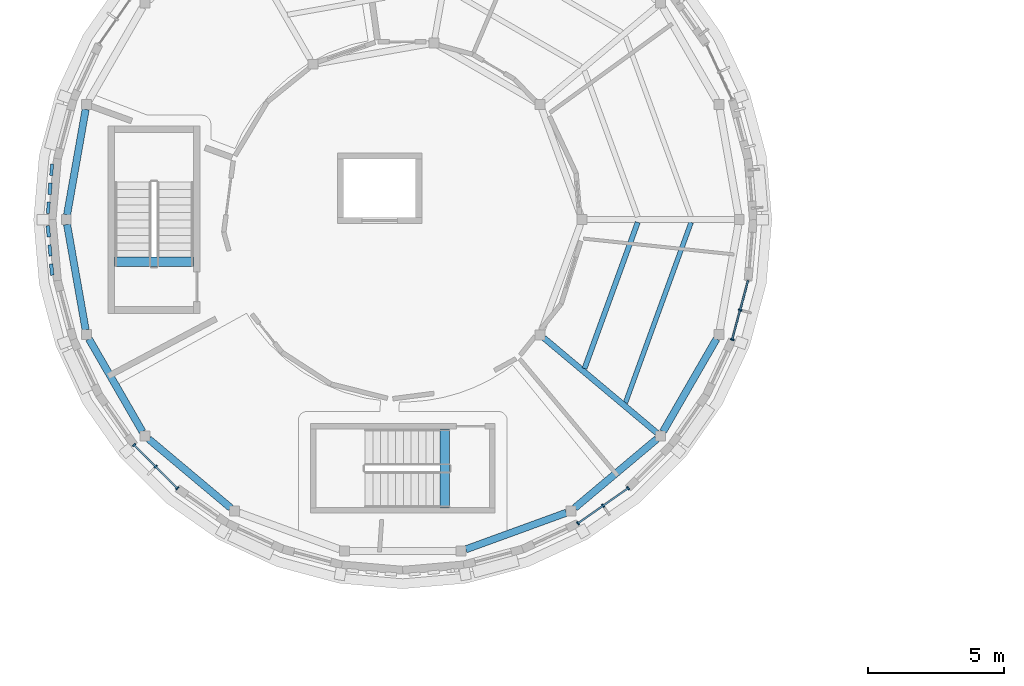
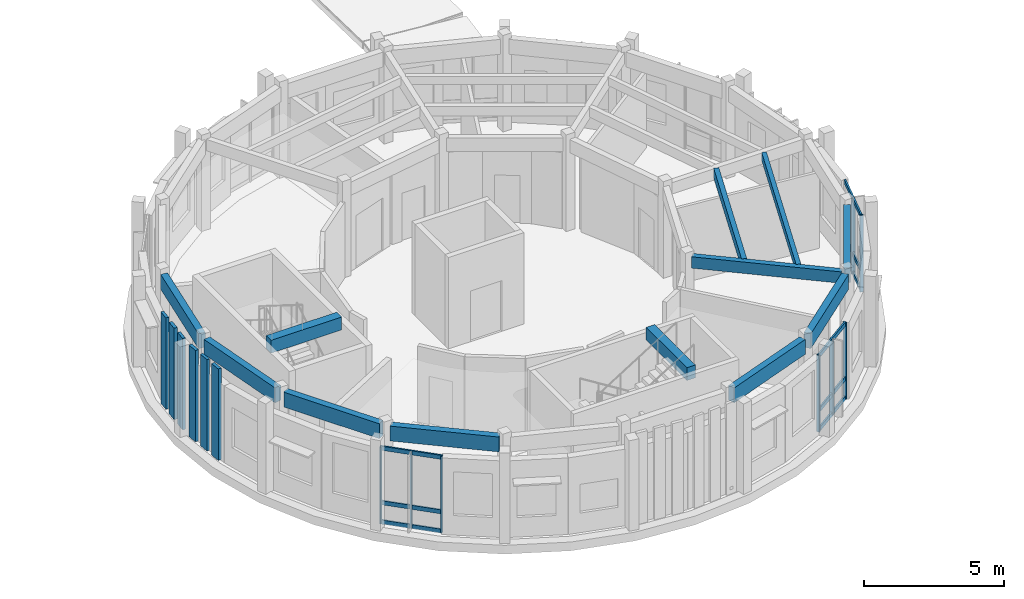
# One storey, part 7 of 58: 23 members, 12 beams, 3 elements without a shape of their own.
"""IFC4 building model written with IfcOpenShell, lengths in metres."""

from ifc_helpers import new_model, si_unit, direction, frame, origin, origin_2d, place, context, subcontext, project, spatial, rectangle, extrude, material, layer, layer_set, material_profile, profile_set, type_object, element, aggregate, save


model = new_model("IFC4")

# Units and contexts
model_context = context("Model", 3, precision=1e-05, world=origin(), true_north=direction((0.0, 1.0)))
body_context = subcontext(model_context, "Body", "Model", "MODEL_VIEW")
ifc_project = project(units=[si_unit("LENGTHUNIT", "METRE"), si_unit("AREAUNIT", "SQUARE_METRE"), si_unit("VOLUMEUNIT", "CUBIC_METRE"), si_unit("PLANEANGLEUNIT", "RADIAN"), si_unit("MASSUNIT", "GRAM", prefix="KILO")], contexts=[model_context])

# Site, building, storey
site_placement = place(None, origin())
site = spatial("IfcSite", under=ifc_project, at=site_placement, CompositionType="ELEMENT")
building_placement = place(site_placement, origin())
building = spatial("IfcBuilding", under=site, at=building_placement, Name="Aldenvaro Health Centre", CompositionType="ELEMENT")
storey_placement = place(building_placement, frame((0.0, 0.0, 8.75)))
storey = spatial("IfcBuildingStorey", under=building, at=storey_placement, Name="L02", CompositionType="ELEMENT", Elevation=8.75)

# Beams
ifc_material_1 = material(Name="Glulam GL28h", Category="wood")
ifc_material_profile_1 = material_profile(ifc_material_1, rectangle(XDim=0.175048828125, YDim=0.35009765625, at=origin_2d()), Name="GL 175x350", Category="wood")
ifc_profile_set_1 = profile_set([ifc_material_profile_1], Name="Glulam GL28h")
beam_type_1 = type_object("IfcBeamType", Name="BM-GL-350", PredefinedType="JOIST", material=ifc_profile_set_1)
beam_1_placement = place(storey_placement, frame((26.69189453125, 11.758056640625, 3.800048828125), z_axis=(0.342009334008, 0.939696554985, 0.0), x_axis=(-0.939696554985, 0.342009334008, 0.0)))
element("IfcBeam", 1, at=beam_1_placement, inside=storey, type_object=beam_type_1, Name="D5 L02 secondary joist 05.2", PredefinedType="JOIST", context=body_context, shape_type="SweptSolid", body=[
    extrude(rectangle(XDim=0.175048828125, YDim=0.35009765625, at=origin_2d()), origin(), (0.0, 0.0, 1.0), 7.067138671875),
])
ifc_material_profile_2 = material_profile(ifc_material_1, rectangle(XDim=0.18994140625, YDim=0.41796875, at=origin_2d()), Name="GL 190x418", Category="wood")
ifc_profile_set_2 = profile_set([ifc_material_profile_2], Name="Glulam GL28h")
beam_type_2 = type_object("IfcBeamType", Name="BM-GL-418", PredefinedType="JOIST", material=ifc_profile_set_2)
beam_2_placement = place(storey_placement, frame((25.18701171875, 13.02099609375, 3.76611328125), z_axis=(0.341962269954, 0.939713682952, 0.0), x_axis=(-0.939713682952, 0.341962269954, 0.0)))
element("IfcBeam", 2, at=beam_2_placement, inside=storey, type_object=beam_type_2, Name="D5 L02 secondary joist 05.1", PredefinedType="JOIST", context=body_context, shape_type="SweptSolid", body=[
    extrude(rectangle(XDim=0.18994140625, YDim=0.41796875, at=origin_2d()), origin(), (0.0, 0.0, 1.0), 5.722900390625),
])
ifc_material_profile_3 = material_profile(ifc_material_1, rectangle(XDim=0.215087890625, YDim=0.493896484375, at=origin_2d()), Name="GL 215x494", Category="wood")
ifc_profile_set_3 = profile_set([ifc_material_profile_3], Name="Glulam GL28h")
beam_type_3 = type_object("IfcBeamType", Name="BM-GL-494", PredefinedType="BEAM", material=ifc_profile_set_3)
beam_3_placement = place(storey_placement, frame((23.696044921875, 14.14111328125, 3.72802734375), z_axis=(0.765895762224, -0.64296475907, 0.0), x_axis=(0.64296475907, 0.765895762224, 0.0)))
element("IfcBeam", 3, at=beam_3_placement, inside=storey, type_object=beam_type_3, Name="D5 L02 radial beam 05", PredefinedType="BEAM", context=body_context, shape_type="SweptSolid", body=[
    extrude(rectangle(XDim=0.215087890625, YDim=0.493896484375, at=origin_2d()), origin(), (0.0, 0.0, 1.0), 5.415771484375),
])
ifc_material_profile_4 = material_profile(ifc_material_1, rectangle(XDim=0.264892578125, YDim=0.64599609375, at=origin_2d()), Name="GL 265x646", Category="wood")
ifc_profile_set_4 = profile_set([ifc_material_profile_4], Name="Glulam GL28h")
beam_type_4 = type_object("IfcBeamType", Name="BM-GL-646", PredefinedType="SPANDREL", material=ifc_profile_set_4)
for number, where, z_axis, x_axis, name in (
    (4, (6.8349609375, 22.553955078125, 3.652099609375), (-0.173590602204, -0.984817903384, 0.0), (0.984817903384, -0.173590602204, 0.0), "D5 L02 perimeter spandrel 09"),
    (5, (6.152099609375, 18.320068359375, 3.652099609375), (0.173590602204, -0.984817903384, 0.0), (0.984817903384, 0.173590602204, 0.0), "D5 L02 perimeter spandrel 10"),
):
    element("IfcBeam", number, at=place(storey_placement, frame(where, z_axis=z_axis, x_axis=x_axis)), inside=storey, type_object=beam_type_4, Name=name, PredefinedType="SPANDREL", context=body_context, shape_type="SweptSolid", body=[
        extrude(rectangle(XDim=0.264892578125, YDim=0.64599609375, at=origin_2d()), origin(), (0.0, 0.0, 1.0), 3.933837890625),
    ])
beam_4_placement = place(storey_placement, frame((6.9580078125, 14.10791015625, 3.652099609375), z_axis=(0.499896114199, -0.866085373973, 0.0), x_axis=(0.866085373973, 0.499896114199, 0.0)))
element("IfcBeam", 6, at=beam_4_placement, inside=storey, type_object=beam_type_4, Name="D5 L02 perimeter spandrel 11", PredefinedType="SPANDREL", context=body_context, shape_type="SweptSolid", body=[
    extrude(rectangle(XDim=0.264892578125, YDim=0.64599609375, at=origin_2d()), origin(), (0.0, 0.0, 1.0), 3.934814453125),
])
beam_5_placement = place(storey_placement, frame((9.156005859375, 10.425048828125, 3.652099609375), z_axis=(0.766034816661, -0.642799081878, 0.0), x_axis=(0.642799081878, 0.766034816661, 0.0)))
element("IfcBeam", 7, at=beam_5_placement, inside=storey, type_object=beam_type_4, Name="D5 L02 perimeter spandrel 12", PredefinedType="SPANDREL", context=body_context, shape_type="SweptSolid", body=[
    extrude(rectangle(XDim=0.264892578125, YDim=0.64599609375, at=origin_2d()), origin(), (0.0, 0.0, 1.0), 3.934326171875),
])
beam_6_placement = place(storey_placement, frame((20.821044921875, 6.3701171875, 3.652099609375), z_axis=(0.939613987037, 0.342236110549, 0.0), x_axis=(-0.342236110549, 0.939613987037, 0.0)))
element("IfcBeam", 8, at=beam_6_placement, inside=storey, type_object=beam_type_4, Name="D5 L02 perimeter spandrel 15", PredefinedType="SPANDREL", context=body_context, shape_type="SweptSolid", body=[
    extrude(rectangle(XDim=0.264892578125, YDim=0.64599609375, at=origin_2d()), origin(), (0.0, 0.0, 1.0), 3.935546875),
])
beam_7_placement = place(storey_placement, frame((24.830078125, 7.89599609375, 3.652099609375), z_axis=(0.766034816661, 0.642799081878, 0.0), x_axis=(-0.642799081878, 0.766034816661, 0.0)))
element("IfcBeam", 9, at=beam_7_placement, inside=storey, type_object=beam_type_4, Name="D5 L02 perimeter spandrel 16", PredefinedType="SPANDREL", context=body_context, shape_type="SweptSolid", body=[
    extrude(rectangle(XDim=0.264892578125, YDim=0.64599609375, at=origin_2d()), origin(), (0.0, 0.0, 1.0), 3.934326171875),
])
beam_8_placement = place(storey_placement, frame((28.074951171875, 10.699951171875, 3.652099609375), z_axis=(0.499896114199, 0.866085373973, 0.0), x_axis=(-0.866085373973, 0.499896114199, 0.0)))
element("IfcBeam", 10, at=beam_8_placement, inside=storey, type_object=beam_type_4, Name="D5 L02 perimeter spandrel 17", PredefinedType="SPANDREL", context=body_context, shape_type="SweptSolid", body=[
    extrude(rectangle(XDim=0.264892578125, YDim=0.64599609375, at=origin_2d()), origin(), (0.0, 0.0, 1.0), 3.934814453125),
])
ifc_material_2 = material(Name="Concrete f'c 40 MPa", Category="concrete")
ifc_material_profile_5 = material_profile(ifc_material_2, rectangle(XDim=0.35009765625, YDim=0.56005859375, at=origin_2d()), Name="RC 350x560", Category="concrete")
ifc_profile_set_5 = profile_set([ifc_material_profile_5], Name="Concrete f'c 40 MPa")
beam_type_5 = type_object("IfcBeamType", Name="BM-RC-560", PredefinedType="JOIST", material=ifc_profile_set_5)
for number, where, z_axis, x_axis, name in (
    (11, (10.800048828125, 16.949951171875, 3.919921875), (-1.0, 0.0, 0.0), (0.0, -1.0, 0.0), "ST-09 L03 stair landing trimmer beam"),
    (12, (20.050048828125, 10.800048828125, 3.919921875), (0.0, -1.0, 0.0), (1.0, 0.0, 0.0), "ST-10 L03 stair landing trimmer beam"),
):
    element("IfcBeam", number, at=place(storey_placement, frame(where, z_axis=z_axis, x_axis=x_axis)), inside=storey, type_object=beam_type_5, Name=name, PredefinedType="JOIST", context=body_context, shape_type="SweptSolid", body=[
        extrude(rectangle(XDim=0.35009765625, YDim=0.56005859375, at=origin_2d()), origin(), (0.0, 0.0, 1.0), 2.900146484375),
    ])

# Curtain wall, members
ifc_material_3 = material(Name="Anodised Aluminium 6063-T6", Category="aluminium")
ifc_layer = layer(ifc_material_3, 0.195068359375, Name="Anodised Aluminium 6063-T6", Category="aluminium")
ifc_layer_set = layer_set([ifc_layer], Name="Anodised Aluminium 6063-T6")
curtain_wall_type = type_object("IfcCurtainWallType", Name="CW-CLN-02", PredefinedType="NOTDEFINED", material=ifc_layer_set)
curtain_wall_1_placement = place(storey_placement, origin())
curtain_wall_1 = element("IfcCurtainWall", 13, at=curtain_wall_1_placement, inside=storey, type_object=curtain_wall_type, Name="D5 L02 curtain wall bay 02", PredefinedType="NOTDEFINED")
ifc_material_profile_6 = material_profile(ifc_material_3, rectangle(XDim=0.06005859375, YDim=0.135009765625, at=origin_2d()), Name="ALU 60x135", Category="aluminium")
ifc_profile_set_6 = profile_set([ifc_material_profile_6], Name="Anodised Aluminium 6063-T6")
member_type_1 = type_object("IfcMemberType", Name="CWM-150", PredefinedType="MULLION", material=ifc_profile_set_6)
member_1_placement = place(storey_placement, frame((30.9130859375, 15.174072265625, 0.0), z_axis=(0.0, 0.0, 1.0), x_axis=(-0.258825000966, -0.9659242304, 0.0)))
member_1 = element("IfcMember", 14, at=member_1_placement, type_object=member_type_1, Name="D5 L02 curtain wall bay 02 mullion 2", PredefinedType="MULLION", context=body_context, shape_type="SweptSolid", body=[
    extrude(rectangle(XDim=0.06005859375, YDim=0.135009765625, at=origin_2d()), origin(), (0.0, 0.0, 1.0), 3.3291015625),
])
member_2_placement = place(storey_placement, frame((30.6220703125, 14.087890625, 0.0), z_axis=(0.0, 0.0, 1.0), x_axis=(-0.258825000966, -0.9659242304, 0.0)))
member_2 = element("IfcMember", 15, at=member_2_placement, type_object=member_type_1, Name="D5 L02 curtain wall bay 02 mullion 3", PredefinedType="MULLION", context=body_context, shape_type="SweptSolid", body=[
    extrude(rectangle(XDim=0.06005859375, YDim=0.135009765625, at=origin_2d()), origin(), (0.0, 0.0, 1.0), 3.3291015625),
])

curtain_wall_2_placement = place(storey_placement, origin())
curtain_wall_2 = element("IfcCurtainWall", 16, at=curtain_wall_2_placement, inside=storey, type_object=curtain_wall_type, Name="D5 L02 curtain wall bay 06", PredefinedType="NOTDEFINED")
member_3_placement = place(storey_placement, frame((26.7919921875, 8.617919921875, 0.0), z_axis=(0.0, 0.0, 1.0), x_axis=(-0.819106553991, -0.573641397746, 0.0)))
member_3 = element("IfcMember", 17, at=member_3_placement, type_object=member_type_1, Name="D5 L02 curtain wall bay 06 mullion 1", PredefinedType="MULLION", context=body_context, shape_type="SweptSolid", body=[
    extrude(rectangle(XDim=0.06005859375, YDim=0.135009765625, at=origin_2d()), origin(), (0.0, 0.0, 1.0), 3.3291015625),
])
member_4_placement = place(storey_placement, frame((25.87109375, 7.972900390625, 0.0), z_axis=(0.0, 0.0, 1.0), x_axis=(-0.819106553991, -0.573641397746, 0.0)))
member_4 = element("IfcMember", 18, at=member_4_placement, type_object=member_type_1, Name="D5 L02 curtain wall bay 06 mullion 2", PredefinedType="MULLION", context=body_context, shape_type="SweptSolid", body=[
    extrude(rectangle(XDim=0.06005859375, YDim=0.135009765625, at=origin_2d()), origin(), (0.0, 0.0, 1.0), 3.3291015625),
])
member_5_placement = place(storey_placement, frame((24.949951171875, 7.327880859375, 0.0), z_axis=(0.0, 0.0, 1.0), x_axis=(-0.819106553991, -0.573641397746, 0.0)))
member_5 = element("IfcMember", 19, at=member_5_placement, type_object=member_type_1, Name="D5 L02 curtain wall bay 06 mullion 3", PredefinedType="MULLION", context=body_context, shape_type="SweptSolid", body=[
    extrude(rectangle(XDim=0.06005859375, YDim=0.135009765625, at=origin_2d()), origin(), (0.0, 0.0, 1.0), 3.3291015625),
])

curtain_wall_3_placement = place(storey_placement, origin())
curtain_wall_3 = element("IfcCurtainWall", 20, at=curtain_wall_3_placement, inside=storey, type_object=curtain_wall_type, Name="D5 L02 curtain wall bay 14", PredefinedType="NOTDEFINED")
member_6_placement = place(storey_placement, frame((10.2080078125, 8.617919921875, 0.0), z_axis=(0.0, 0.0, 1.0), x_axis=(-0.707106781187, 0.707106781187, 0.0)))
member_6 = element("IfcMember", 21, at=member_6_placement, type_object=member_type_1, Name="D5 L02 curtain wall bay 14 mullion 1", PredefinedType="MULLION", context=body_context, shape_type="SweptSolid", body=[
    extrude(rectangle(XDim=0.06005859375, YDim=0.135009765625, at=origin_2d()), origin(), (0.0, 0.0, 1.0), 3.3291015625),
])
member_7_placement = place(storey_placement, frame((9.4130859375, 9.4130859375, 0.0), z_axis=(0.0, 0.0, 1.0), x_axis=(-0.707106781187, 0.707106781187, 0.0)))
member_7 = element("IfcMember", 22, at=member_7_placement, type_object=member_type_1, Name="D5 L02 curtain wall bay 14 mullion 2", PredefinedType="MULLION", context=body_context, shape_type="SweptSolid", body=[
    extrude(rectangle(XDim=0.06005859375, YDim=0.135009765625, at=origin_2d()), origin(), (0.0, 0.0, 1.0), 3.3291015625),
])
member_8_placement = place(storey_placement, frame((8.617919921875, 10.2080078125, 0.0), z_axis=(0.0, 0.0, 1.0), x_axis=(-0.707106781187, 0.707106781187, 0.0)))
member_8 = element("IfcMember", 23, at=member_8_placement, type_object=member_type_1, Name="D5 L02 curtain wall bay 14 mullion 3", PredefinedType="MULLION", context=body_context, shape_type="SweptSolid", body=[
    extrude(rectangle(XDim=0.06005859375, YDim=0.135009765625, at=origin_2d()), origin(), (0.0, 0.0, 1.0), 3.3291015625),
])

# Member
ifc_material_profile_7 = material_profile(ifc_material_3, rectangle(XDim=0.06494140625, YDim=0.179931640625, at=origin_2d()), Name="ALU 65x180", Category="aluminium")
ifc_profile_set_7 = profile_set([ifc_material_profile_7], Name="Anodised Aluminium 6063-T6")
member_type_2 = type_object("IfcMemberType", Name="CWT-150", PredefinedType="USERDEFINED", material=ifc_profile_set_7)
member_9_placement = place(storey_placement, frame((31.2041015625, 16.260009765625, 0.06005859375), z_axis=(-0.258824721145, -0.96592430538, 0.0), x_axis=(0.96592430538, -0.258824721145, 0.0)))
member_9 = element("IfcMember", 24, at=member_9_placement, type_object=member_type_2, Name="D5 L02 curtain wall bay 02 transom 1", ObjectType="TRANSOM", PredefinedType="USERDEFINED", context=body_context, shape_type="SweptSolid", body=[
    extrude(rectangle(XDim=0.06494140625, YDim=0.179931640625, at=origin_2d()), origin(), (0.0, 0.0, 1.0), 2.248779296875),
])

member_10_placement = place(storey_placement, frame((31.2041015625, 16.260009765625, 0.89990234375), z_axis=(-0.258824721145, -0.96592430538, 0.0), x_axis=(0.96592430538, -0.258824721145, 0.0)))
member_10 = element("IfcMember", 25, at=member_10_placement, type_object=member_type_2, Name="D5 L02 curtain wall bay 02 transom 2", ObjectType="TRANSOM", PredefinedType="USERDEFINED", context=body_context, shape_type="SweptSolid", body=[
    extrude(rectangle(XDim=0.06494140625, YDim=0.179931640625, at=origin_2d()), origin(), (0.0, 0.0, 1.0), 2.248779296875),
])

member_11_placement = place(storey_placement, frame((31.2041015625, 16.260009765625, 3.26904296875), z_axis=(-0.258824721145, -0.96592430538, 0.0), x_axis=(0.96592430538, -0.258824721145, 0.0)))
member_11 = element("IfcMember", 26, at=member_11_placement, type_object=member_type_2, Name="D5 L02 curtain wall bay 02 transom 3", ObjectType="TRANSOM", PredefinedType="USERDEFINED", context=body_context, shape_type="SweptSolid", body=[
    extrude(rectangle(XDim=0.06494140625, YDim=0.179931640625, at=origin_2d()), origin(), (0.0, 0.0, 1.0), 2.248779296875),
])

aggregate(curtain_wall_1, [member_1, member_2, member_9, member_10, member_11])

member_12_placement = place(storey_placement, frame((26.7919921875, 8.617919921875, 0.06005859375), z_axis=(-0.819104393925, -0.573644482107, 0.0), x_axis=(0.573644482107, -0.819104393925, 0.0)))
member_12 = element("IfcMember", 27, at=member_12_placement, type_object=member_type_2, Name="D5 L02 curtain wall bay 06 transom 1", ObjectType="TRANSOM", PredefinedType="USERDEFINED", context=body_context, shape_type="SweptSolid", body=[
    extrude(rectangle(XDim=0.06494140625, YDim=0.179931640625, at=origin_2d()), origin(), (0.0, 0.0, 1.0), 2.248779296875),
])

member_13_placement = place(storey_placement, frame((26.7919921875, 8.617919921875, 0.89990234375), z_axis=(-0.819104393925, -0.573644482107, 0.0), x_axis=(0.573644482107, -0.819104393925, 0.0)))
member_13 = element("IfcMember", 28, at=member_13_placement, type_object=member_type_2, Name="D5 L02 curtain wall bay 06 transom 2", ObjectType="TRANSOM", PredefinedType="USERDEFINED", context=body_context, shape_type="SweptSolid", body=[
    extrude(rectangle(XDim=0.06494140625, YDim=0.179931640625, at=origin_2d()), origin(), (0.0, 0.0, 1.0), 2.248779296875),
])

member_14_placement = place(storey_placement, frame((26.7919921875, 8.617919921875, 3.26904296875), z_axis=(-0.819104393925, -0.573644482107, 0.0), x_axis=(0.573644482107, -0.819104393925, 0.0)))
member_14 = element("IfcMember", 29, at=member_14_placement, type_object=member_type_2, Name="D5 L02 curtain wall bay 06 transom 3", ObjectType="TRANSOM", PredefinedType="USERDEFINED", context=body_context, shape_type="SweptSolid", body=[
    extrude(rectangle(XDim=0.06494140625, YDim=0.179931640625, at=origin_2d()), origin(), (0.0, 0.0, 1.0), 2.248779296875),
])

aggregate(curtain_wall_2, [member_3, member_4, member_5, member_12, member_13, member_14])

member_15_placement = place(storey_placement, frame((10.2080078125, 8.617919921875, 0.06005859375), z_axis=(-0.707106781187, 0.707106781187, 0.0), x_axis=(-0.707106781187, -0.707106781187, 0.0)))
member_15 = element("IfcMember", 30, at=member_15_placement, type_object=member_type_2, Name="D5 L02 curtain wall bay 14 transom 1", ObjectType="TRANSOM", PredefinedType="USERDEFINED", context=body_context, shape_type="SweptSolid", body=[
    extrude(rectangle(XDim=0.06494140625, YDim=0.179931640625, at=origin_2d()), origin(), (0.0, 0.0, 1.0), 2.248779296875),
])

member_16_placement = place(storey_placement, frame((10.2080078125, 8.617919921875, 0.89990234375), z_axis=(-0.707106781187, 0.707106781187, 0.0), x_axis=(-0.707106781187, -0.707106781187, 0.0)))
member_16 = element("IfcMember", 31, at=member_16_placement, type_object=member_type_2, Name="D5 L02 curtain wall bay 14 transom 2", ObjectType="TRANSOM", PredefinedType="USERDEFINED", context=body_context, shape_type="SweptSolid", body=[
    extrude(rectangle(XDim=0.06494140625, YDim=0.179931640625, at=origin_2d()), origin(), (0.0, 0.0, 1.0), 2.248779296875),
])

member_17_placement = place(storey_placement, frame((10.2080078125, 8.617919921875, 3.26904296875), z_axis=(-0.707106781187, 0.707106781187, 0.0), x_axis=(-0.707106781187, -0.707106781187, 0.0)))
member_17 = element("IfcMember", 32, at=member_17_placement, type_object=member_type_2, Name="D5 L02 curtain wall bay 14 transom 3", ObjectType="TRANSOM", PredefinedType="USERDEFINED", context=body_context, shape_type="SweptSolid", body=[
    extrude(rectangle(XDim=0.06494140625, YDim=0.179931640625, at=origin_2d()), origin(), (0.0, 0.0, 1.0), 2.248779296875),
])

aggregate(curtain_wall_3, [member_6, member_7, member_8, member_15, member_16, member_17])

# Members
ifc_material_profile_8 = material_profile(ifc_material_1, rectangle(XDim=0.114990234375, YDim=0.419921875, at=origin_2d()), Name="GL 115x420", Category="wood")
ifc_profile_set_8 = profile_set([ifc_material_profile_8], Name="Glulam GL28h")
member_type_3 = type_object("IfcMemberType", Name="MEM-SLT-420A", PredefinedType="POST", material=ifc_profile_set_8)
for number, where, z_axis, x_axis, name in (
    (33, (5.52392578125, 17.364990234375, 0.0), (0.0, 0.0, 1.0), (-0.996193717495, -0.087166950289, 0.0), "D5 L02 vertical timber slat 18.2"),
    (34, (5.4619140625, 18.93408203125, 0.0), (0.0, 0.0, 1.0), (-0.996193717495, 0.087166950289, 0.0), "D5 L02 vertical timber slat 19.1"),
    (35, (5.5849609375, 20.3369140625, 0.0), (0.0, 0.0, 1.0), (-0.996193717495, 0.087166950289, 0.0), "D5 L02 vertical timber slat 19.3"),
):
    element("IfcMember", number, at=place(storey_placement, frame(where, z_axis=z_axis, x_axis=x_axis)), inside=storey, type_object=member_type_3, Name=name, PredefinedType="POST", context=body_context, shape_type="SweptSolid", body=[
        extrude(rectangle(XDim=0.114990234375, YDim=0.419921875, at=origin_2d()), origin(), (0.0, 0.0, 1.0), 3.97509765625),
    ])
ifc_material_profile_9 = material_profile(ifc_material_1, rectangle(XDim=0.1298828125, YDim=0.419921875, at=origin_2d()), Name="GL 130x420", Category="wood")
ifc_profile_set_9 = profile_set([ifc_material_profile_9], Name="Glulam GL28h")
member_type_4 = type_object("IfcMemberType", Name="MEM-SLT-420B", PredefinedType="POST", material=ifc_profile_set_9)
for number, where, z_axis, x_axis, name in (
    (36, (5.5849609375, 16.6630859375, 0.0), (0.0, 0.0, 1.0), (-0.996193717495, -0.087166950289, 0.0), "D5 L02 vertical timber slat 18.1"),
    (37, (5.4619140625, 18.06591796875, 0.0), (0.0, 0.0, 1.0), (-0.996193717495, -0.087166950289, 0.0), "D5 L02 vertical timber slat 18.3"),
    (38, (5.52392578125, 19.635009765625, 0.0), (0.0, 0.0, 1.0), (-0.996193717495, 0.087166950289, 0.0), "D5 L02 vertical timber slat 19.2"),
):
    element("IfcMember", number, at=place(storey_placement, frame(where, z_axis=z_axis, x_axis=x_axis)), inside=storey, type_object=member_type_4, Name=name, PredefinedType="POST", context=body_context, shape_type="SweptSolid", body=[
        extrude(rectangle(XDim=0.1298828125, YDim=0.419921875, at=origin_2d()), origin(), (0.0, 0.0, 1.0), 3.97509765625),
    ])

save(model, "model.ifc")
